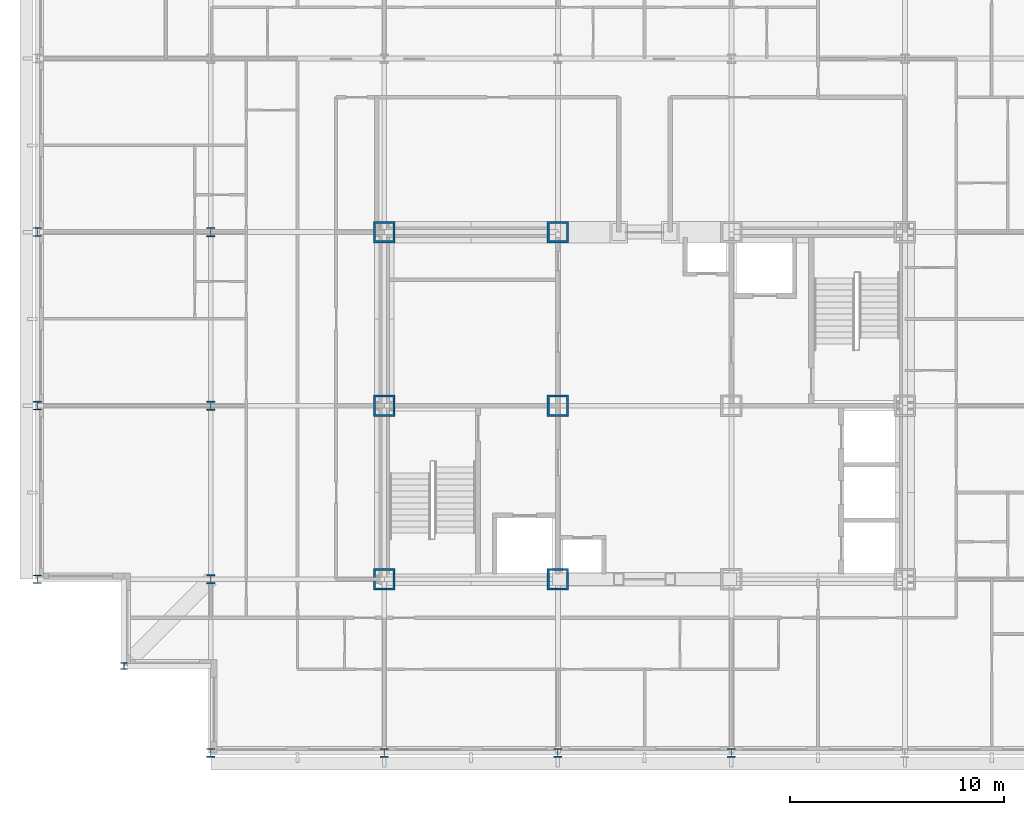
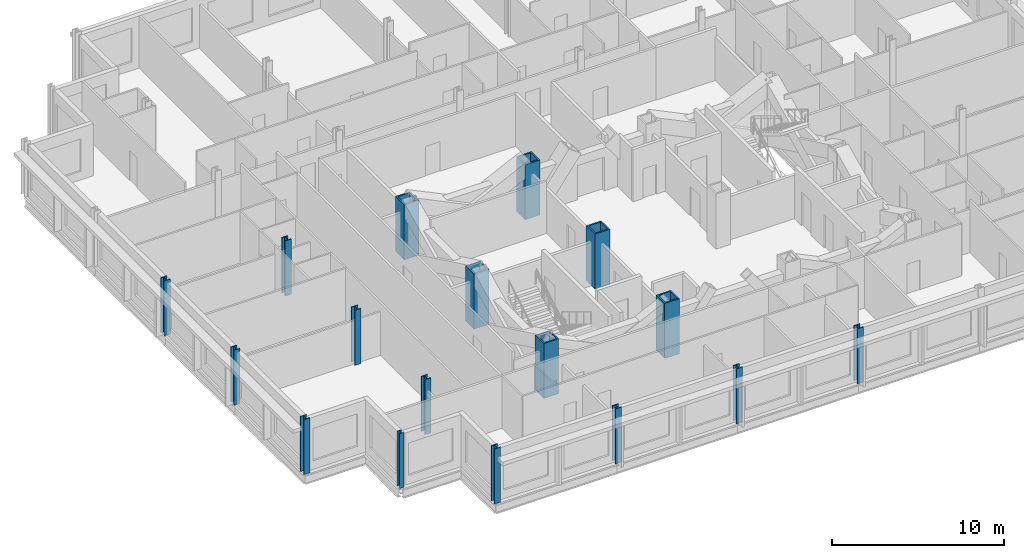
# One storey, part 1 of 15: 17 columns.
"""IFC4 building model written with IfcOpenShell, lengths in metres."""

from ifc_helpers import new_model, si_unit, direction, frame, origin, origin_2d, place, context, subcontext, project, spatial, hollow_rectangle, i_section, extrude, material, material_profile, profile_set, type_object, element, save


model = new_model("IFC4")

# Units and contexts
model_context = context("Model", 3, precision=1e-05, world=origin(), true_north=direction((0.0, 1.0)))
body_context = subcontext(model_context, "Body", "Model", "MODEL_VIEW")
ifc_project = project(units=[si_unit("LENGTHUNIT", "METRE"), si_unit("AREAUNIT", "SQUARE_METRE"), si_unit("VOLUMEUNIT", "CUBIC_METRE"), si_unit("PLANEANGLEUNIT", "RADIAN"), si_unit("MASSUNIT", "GRAM", prefix="KILO")], contexts=[model_context])

# Site, building, storey
site_placement = place(None, origin())
site = spatial("IfcSite", under=ifc_project, at=site_placement, CompositionType="ELEMENT")
building_placement = place(site_placement, origin())
building = spatial("IfcBuilding", under=site, at=building_placement, Name="Kopane Lantern Tower", CompositionType="ELEMENT")
storey_placement = place(building_placement, frame((0.0, 0.0, 289.199951171875)))
storey = spatial("IfcBuildingStorey", under=building, at=storey_placement, Name="L74", CompositionType="ELEMENT", Elevation=289.199951171875)

# Columns
ifc_material_1 = material(Name="Steel S355JR", Category="steel")
ifc_material_profile_1 = material_profile(ifc_material_1, hollow_rectangle(XDim=1.0, YDim=1.0, WallThickness=0.10009765625, at=origin_2d()), Name="BOX 1000x1000x100")
ifc_profile_set_1 = profile_set([ifc_material_profile_1], Name="Steel S355JR")
column_type_1 = type_object("IfcColumnType", Name="COLUMN BOX 1000x1000x100", PredefinedType="COLUMN", material=ifc_profile_set_1)
for number, where, z_axis, x_axis, name in (
    (1, (16.199951171875, 24.300048828125, 0.0), (0.0, 0.0, 1.0), (1.0, 0.0, 0.0), "Column 4/E L74"),
    (2, (16.199951171875, 32.39990234375, 0.0), (0.0, 0.0, 1.0), (1.0, 0.0, 0.0), "Column 4/F L74"),
    (3, (16.199951171875, 40.5, 0.0), (0.0, 0.0, 1.0), (1.0, 0.0, 0.0), "Column 4/G L74"),
    (4, (24.300048828125, 24.300048828125, 0.0), (0.0, 0.0, 1.0), (1.0, 0.0, 0.0), "Column 5/E L74"),
    (5, (24.300048828125, 32.39990234375, 0.0), (0.0, 0.0, 1.0), (1.0, 0.0, 0.0), "Column 5/F L74"),
    (6, (24.300048828125, 40.5, 0.0), (0.0, 0.0, 1.0), (1.0, 0.0, 0.0), "Column 5/G L74"),
):
    element("IfcColumn", number, at=place(storey_placement, frame(where, z_axis=z_axis, x_axis=x_axis)), inside=storey, type_object=column_type_1, Name=name, PredefinedType="COLUMN", context=body_context, shape_type="SweptSolid", body=[
        extrude(hollow_rectangle(XDim=1.0, YDim=1.0, WallThickness=0.10009765625, at=origin_2d()), origin(), (0.0, 0.0, 1.0), 3.900146484375),
    ])
ifc_material_2 = material(Name="Steel S355JR", Category="steel")
ifc_material_profile_2 = material_profile(ifc_material_2, i_section(OverallWidth=0.307373046875, OverallDepth=0.314453125, WebThickness=0.011962890625, FlangeThickness=0.018798828125, FilletRadius=0.01513671875, at=origin_2d()), Name="UC 305x305x118")
ifc_profile_set_2 = profile_set([ifc_material_profile_2], Name="Steel S355JR")
column_type_2 = type_object("IfcColumnType", Name="COLUMN UC 305x305x118", PredefinedType="COLUMN", material=ifc_profile_set_2)
column_placement = place(storey_placement, frame((4.050048828125, 20.25, 0.0), z_axis=(0.0, 0.0, 1.0), x_axis=(1.0, 0.0, 0.0)))
element("IfcColumn", 7, at=column_placement, inside=storey, type_object=column_type_2, Name="Column 4.05/20.25 L74", PredefinedType="COLUMN", context=body_context, shape_type="SweptSolid", body=[
    extrude(i_section(OverallWidth=0.307373046875, OverallDepth=0.314453125, WebThickness=0.011962890625, FlangeThickness=0.018798828125, FilletRadius=0.01513671875, at=origin_2d()), origin(), (0.0, 0.0, 1.0), 3.900146484375),
])
ifc_material_3 = material(Name="Steel S355JR", Category="steel")
ifc_material_profile_3 = material_profile(ifc_material_3, i_section(OverallWidth=0.406982421875, OverallDepth=0.4189453125, WebThickness=0.030517578125, FlangeThickness=0.04931640625, FilletRadius=0.01513671875, at=origin_2d()), Name="UC 356x406x393")
ifc_profile_set_3 = profile_set([ifc_material_profile_3], Name="Steel S355JR")
column_type_3 = type_object("IfcColumnType", Name="COLUMN UC 356x406x393", PredefinedType="COLUMN", material=ifc_profile_set_3)
for number, where, z_axis, x_axis, name in (
    (8, (0.0, 24.300048828125, 0.0), (0.0, 0.0, 1.0), (1.0, 0.0, 0.0), "Column 2/E L74"),
    (9, (0.0, 32.39990234375, 0.0), (0.0, 0.0, 1.0), (1.0, 0.0, 0.0), "Column 2/F L74"),
    (10, (0.0, 40.5, 0.0), (0.0, 0.0, 1.0), (1.0, 0.0, 0.0), "Column 2/G L74"),
    (11, (8.10009765625, 16.199951171875, 0.0), (0.0, 0.0, 1.0), (1.0, 0.0, 0.0), "Column 3/D L74"),
    (12, (16.199951171875, 16.199951171875, 0.0), (0.0, 0.0, 1.0), (1.0, 0.0, 0.0), "Column 4/D L74"),
    (13, (24.300048828125, 16.199951171875, 0.0), (0.0, 0.0, 1.0), (1.0, 0.0, 0.0), "Column 5/D L74"),
    (14, (32.39990234375, 16.199951171875, 0.0), (0.0, 0.0, 1.0), (1.0, 0.0, 0.0), "Column 6/D L74"),
):
    element("IfcColumn", number, at=place(storey_placement, frame(where, z_axis=z_axis, x_axis=x_axis)), inside=storey, type_object=column_type_3, Name=name, PredefinedType="COLUMN", context=body_context, shape_type="SweptSolid", body=[
        extrude(i_section(OverallWidth=0.406982421875, OverallDepth=0.4189453125, WebThickness=0.030517578125, FlangeThickness=0.04931640625, FilletRadius=0.01513671875, at=origin_2d()), origin(), (0.0, 0.0, 1.0), 3.900146484375),
    ])
ifc_material_4 = material(Name="Steel S355JR", Category="steel")
ifc_material_profile_4 = material_profile(ifc_material_4, i_section(OverallWidth=0.412109375, OverallDepth=0.4365234375, WebThickness=0.035888671875, FlangeThickness=0.05810546875, FilletRadius=0.01513671875, at=origin_2d()), Name="UC 356x406x467")
ifc_profile_set_4 = profile_set([ifc_material_profile_4], Name="Steel S355JR")
column_type_4 = type_object("IfcColumnType", Name="COLUMN UC 356x406x467", PredefinedType="COLUMN", material=ifc_profile_set_4)
for number, where, z_axis, x_axis, name in (
    (15, (8.10009765625, 24.300048828125, 0.0), (0.0, 0.0, 1.0), (1.0, 0.0, 0.0), "Column 3/E L74"),
    (16, (8.10009765625, 32.39990234375, 0.0), (0.0, 0.0, 1.0), (1.0, 0.0, 0.0), "Column 3/F L74"),
    (17, (8.10009765625, 40.5, 0.0), (0.0, 0.0, 1.0), (1.0, 0.0, 0.0), "Column 3/G L74"),
):
    element("IfcColumn", number, at=place(storey_placement, frame(where, z_axis=z_axis, x_axis=x_axis)), inside=storey, type_object=column_type_4, Name=name, PredefinedType="COLUMN", context=body_context, shape_type="SweptSolid", body=[
        extrude(i_section(OverallWidth=0.412109375, OverallDepth=0.4365234375, WebThickness=0.035888671875, FlangeThickness=0.05810546875, FilletRadius=0.01513671875, at=origin_2d()), origin(), (0.0, 0.0, 1.0), 3.900146484375),
    ])

save(model, "model.ifc")
